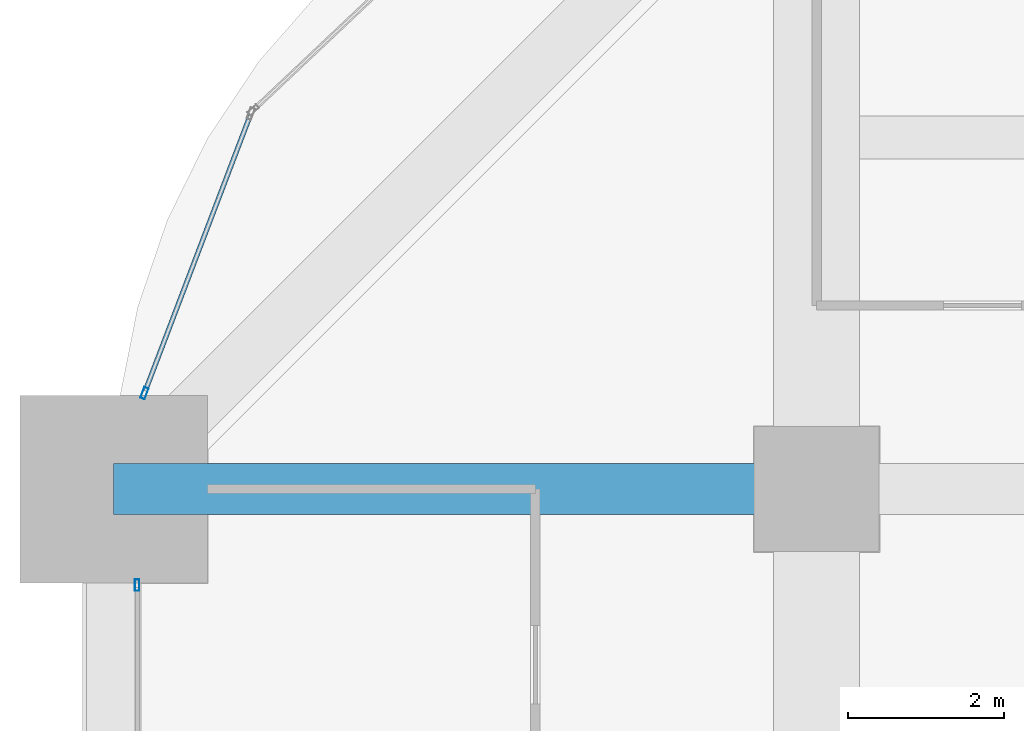
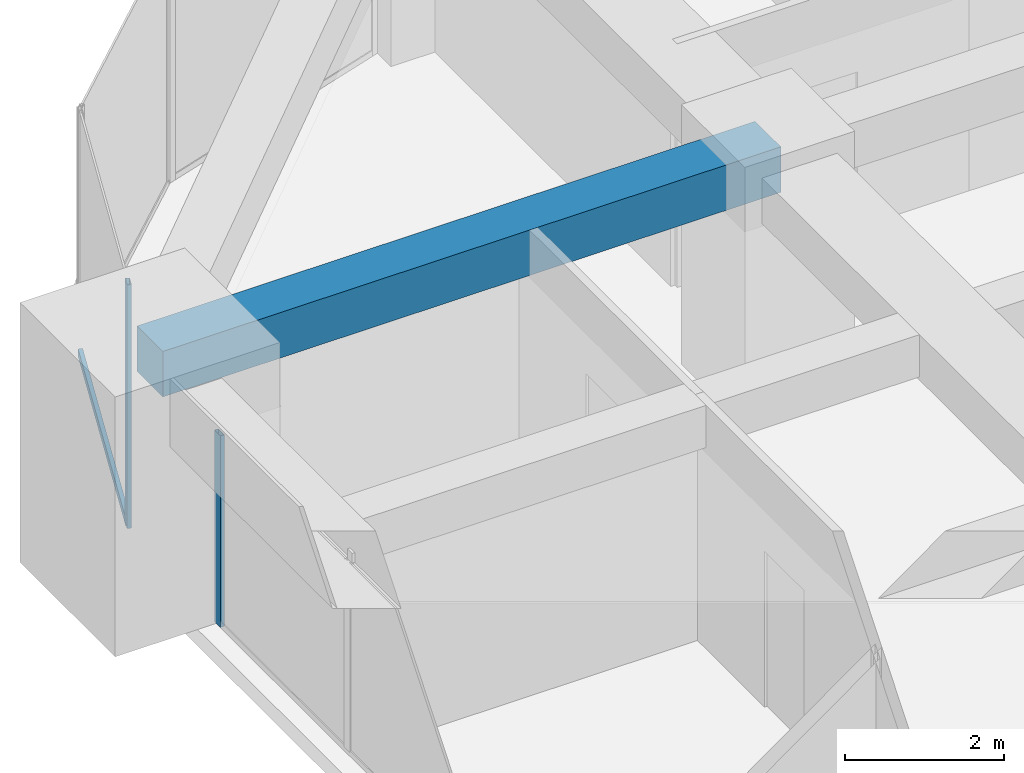
# One storey, part 20 of 34: 3 members, 1 beam, 2 elements without a shape of their own.
"""IFC4 building model written with IfcOpenShell, lengths in metres."""

import ifcopenshell
import ifcopenshell.guid

model = None  # the IFC model being written
_history = None  # IfcOwnerHistory: only IFC2X3 demands one
_inside = {}  # id of a spatial element -> (the spatial element, [elements in it])
_under = {}  # id of a project, library or spatial element -> (it, [spatial elements below it])
_declared = {}  # id of a project -> (the project, [libraries it declares])
_typed = {}  # id of a type object -> (the type object, [elements of that type])
_made_of = {}  # id of a material, layer set ... -> (it, [elements and type objects made of it])


def new_model(schema):
    """Start an empty IFC model of exactly this schema.

    Asked for "IFC4X3", IfcOpenShell would pick the latest addendum, in which some entities
    have other attributes; the version numbers below select the first issue.
    IFC2X3 requires an IfcOwnerHistory on every rooted entity: one is made here for all.
    """
    global model, _history
    if schema == "IFC4X3":
        model = ifcopenshell.file(schema_version=(4, 3, 0, 0))
    else:
        model = ifcopenshell.file(schema=schema)
    _inside.clear()
    _under.clear()
    _declared.clear()
    _typed.clear()
    _made_of.clear()
    _history = None
    if model.schema == "IFC2X3":
        org = make("IfcOrganization", Name="unknown")
        user = make(
            "IfcPersonAndOrganization",
            ThePerson=make("IfcPerson", FamilyName="unknown"),
            TheOrganization=org,
        )
        app = make(
            "IfcApplication",
            ApplicationDeveloper=org,
            Version="unknown",
            ApplicationFullName="unknown",
            ApplicationIdentifier="unknown",
        )
        _history = make(
            "IfcOwnerHistory",
            OwningUser=user,
            OwningApplication=app,
            ChangeAction="ADDED",
            CreationDate=0,
        )
    return model


def make(cls, **values):
    """One entity of the class cls with the attributes given. An attribute that is None is left unset."""
    return model.create_entity(
        cls, **{name: value for name, value in values.items() if value is not None}
    )


def rooted(cls, **values):
    """An entity with a GlobalId (a new one), such as an element, a storey or a relation."""
    return make(cls, GlobalId=ifcopenshell.guid.new(), OwnerHistory=_history, **values)


def si_unit(unit_type, name, prefix=None):
    """IfcSIUnit, for example si_unit("LENGTHUNIT", "METRE", prefix="MILLI")."""
    return make("IfcSIUnit", UnitType=unit_type, Prefix=prefix, Name=name)


def assignment(units):
    """IfcUnitAssignment: the units of a project."""
    return None if units is None else make("IfcUnitAssignment", Units=units)


def point(xyz):
    """IfcCartesianPoint."""
    return None if xyz is None else make("IfcCartesianPoint", Coordinates=xyz)


def direction(xyz):
    """IfcDirection."""
    return None if xyz is None else make("IfcDirection", DirectionRatios=xyz)


def frame(location, z_axis=None, x_axis=None):
    """IfcAxis2Placement3D, a coordinate frame: its origin and axes. An axis left out is left unset."""
    return make(
        "IfcAxis2Placement3D",
        Location=point(location),
        Axis=direction(z_axis),
        RefDirection=direction(x_axis),
    )


def frame_2d(location, x_axis=None):
    """IfcAxis2Placement2D, a coordinate frame in the plane: its origin and x axis."""
    return make(
        "IfcAxis2Placement2D", Location=point(location), RefDirection=direction(x_axis)
    )


def origin():
    """The frame at (0, 0, 0) with its axes left unset."""
    return frame((0.0, 0.0, 0.0))


def origin_2d():
    """The frame at (0, 0) in the plane with its x axis left unset."""
    return frame_2d((0.0, 0.0))


def place(relative_to, where):
    """IfcLocalPlacement: puts the frame where relative to a parent placement (None: the world)."""
    return make(
        "IfcLocalPlacement", PlacementRelTo=relative_to, RelativePlacement=where
    )


def context(
    kind, dimensions, precision=None, world=None, true_north=None, identifier=None
):
    """IfcGeometricRepresentationContext, for example the 3D "Model" context."""
    return make(
        "IfcGeometricRepresentationContext",
        ContextIdentifier=identifier,
        ContextType=kind,
        CoordinateSpaceDimension=dimensions,
        Precision=precision,
        WorldCoordinateSystem=world,
        TrueNorth=true_north,
    )


def subcontext(parent, identifier, kind, view, scale=None):
    """IfcGeometricRepresentationSubContext, for example "Body" below "Model"."""
    return make(
        "IfcGeometricRepresentationSubContext",
        ContextIdentifier=identifier,
        ContextType=kind,
        ParentContext=parent,
        TargetScale=scale,
        TargetView=view,
    )


def project(units=None, contexts=None):
    """IfcProject with its units and contexts."""
    return rooted(
        "IfcProject",
        Name="project",
        RepresentationContexts=contexts,
        UnitsInContext=assignment(units),
    )


def spatial(cls, under=None, at=None, **own):
    """A site, building, storey or space (cls), placed at a placement, below another one or the project."""
    s = rooted(cls, ObjectPlacement=at, **own)
    if under is not None:
        _under.setdefault(under.id(), (under, []))[1].append(s)
    return s


def profile(cls, at=None, kind="AREA", **sizes):
    """A parametric profile (cls). Its sizes go by their IFC names, for example OverallWidth=200.0."""
    return make(cls, ProfileType=kind, Position=at, **sizes)


def rectangle(**sizes):
    """IfcRectangleProfileDef."""
    return profile("IfcRectangleProfileDef", **sizes)


def hollow_rectangle(**sizes):
    """IfcRectangleHollowProfileDef."""
    return profile("IfcRectangleHollowProfileDef", **sizes)


def extrude(swept, where, along, depth):
    """IfcExtrudedAreaSolid: the profile swept, set in the frame where, extruded along a direction by depth."""
    return make(
        "IfcExtrudedAreaSolid",
        SweptArea=swept,
        Position=where,
        ExtrudedDirection=direction(along),
        Depth=depth,
    )


def shape(context_of_items, identifier, shape_type, items):
    """IfcShapeRepresentation: the items that make up one representation, for example the "Body"."""
    return make(
        "IfcShapeRepresentation",
        ContextOfItems=context_of_items,
        RepresentationIdentifier=identifier,
        RepresentationType=shape_type,
        Items=items,
    )


def material(Name=None, Category=None):
    """IfcMaterial."""
    return make("IfcMaterial", Name=Name, Category=Category)


def material_profile(
    of_material, cross_section, Name=None, Category=None, Priority=None
):
    """IfcMaterialProfile: a cross section and its material."""
    return make(
        "IfcMaterialProfile",
        Name=Name,
        Material=of_material,
        Profile=cross_section,
        Priority=Priority,
        Category=Category,
    )


def profile_set(profiles, Name=None, composite=None):
    """IfcMaterialProfileSet."""
    return make(
        "IfcMaterialProfileSet",
        Name=Name,
        MaterialProfiles=profiles,
        CompositeProfile=composite,
    )


def made_of(thing, what):
    """Note that an element or type object is made of a material, layer set ...; save() writes the relation."""
    if what is not None:
        _made_of.setdefault(what.id(), (what, []))[1].append(thing)
    return thing


def type_object(cls, material=None, **own):
    """A type object (cls), such as IfcWallType, which elements share."""
    return made_of(rooted(cls, **own), material)


def element(
    cls,
    number,
    at=None,
    inside=None,
    cuts=None,
    type_object=None,
    material=None,
    context=None,
    identifier="Body",
    shape_type=None,
    held_by="IfcProductDefinitionShape",
    body=None,
    shapes=None,
    **own,
):
    """One element of the class cls, such as IfcWall. Its Tag is "e" and its number.

    at: its placement. inside: the storey or other place that contains it. cuts: it is an
    opening in that element (IfcRelVoidsElement). A single representation is given by context,
    identifier, shape_type and body (its items); several are given by shapes. held_by: the class
    of the entity that holds the representations. save() writes the other relations.
    """
    e = rooted(cls, Tag="e%d" % number, ObjectPlacement=at, **own)
    if body is not None:
        shapes = [shape(context, identifier, shape_type, body)]
    if shapes is not None:
        e.Representation = make(held_by, Representations=shapes)
    if inside is not None:
        _inside.setdefault(inside.id(), (inside, []))[1].append(e)
    if cuts is not None:
        rooted(
            "IfcRelVoidsElement", RelatingBuildingElement=cuts, RelatedOpeningElement=e
        )
    if type_object is not None:
        _typed.setdefault(type_object.id(), (type_object, []))[1].append(e)
    return made_of(e, material)


def aggregate(whole, parts):
    """IfcRelAggregates: a whole, such as a stair, and the parts it consists of."""
    return rooted("IfcRelAggregates", RelatingObject=whole, RelatedObjects=parts)


def save(model, path):
    """Write the relations noted so far, then the file.

    IfcRelAggregates (storeys below a building ...), IfcRelContainedInSpatialStructure (elements
    in a storey), IfcRelDefinesByType, IfcRelAssociatesMaterial and IfcRelDeclares: one each for
    every whole, place, type object, material and project.
    """
    for whole, parts in _under.values():
        aggregate(whole, parts)
    for where, things in _inside.values():
        rooted(
            "IfcRelContainedInSpatialStructure",
            RelatedElements=things,
            RelatingStructure=where,
        )
    for kind, things in _typed.values():
        rooted("IfcRelDefinesByType", RelatedObjects=things, RelatingType=kind)
    for what, things in _made_of.values():
        rooted("IfcRelAssociatesMaterial", RelatedObjects=things, RelatingMaterial=what)
    for by, libraries in _declared.values():
        rooted("IfcRelDeclares", RelatingContext=by, RelatedDefinitions=libraries)
    model.write(path)


model = new_model("IFC4")

# Units and contexts
model_context = context("Model", 3, precision=1e-05, world=origin(), true_north=direction((0.0, 1.0)))
body_context = subcontext(model_context, "Body", "Model", "MODEL_VIEW")
ifc_project = project(units=[si_unit("LENGTHUNIT", "METRE"), si_unit("AREAUNIT", "SQUARE_METRE"), si_unit("VOLUMEUNIT", "CUBIC_METRE"), si_unit("PLANEANGLEUNIT", "RADIAN"), si_unit("MASSUNIT", "GRAM", prefix="KILO")], contexts=[model_context])

# Site, building, storey
site_placement = place(None, origin())
site = spatial("IfcSite", under=ifc_project, at=site_placement, CompositionType="ELEMENT")
building_placement = place(site_placement, origin())
building = spatial("IfcBuilding", under=site, at=building_placement, Name="Zorevar Civic Tower", CompositionType="ELEMENT")
storey_placement = place(building_placement, frame((0.0, 0.0, 170.199951171875)))
storey = spatial("IfcBuildingStorey", under=building, at=storey_placement, Name="L41", CompositionType="ELEMENT", Elevation=170.199951171875)

# Beam
ifc_material_1 = material(Name="Concrete C50/60", Category="concrete")
ifc_material_profile_1 = material_profile(ifc_material_1, rectangle(XDim=0.64990234375, YDim=0.699951171875, at=origin_2d()), Name="RC 650x700")
ifc_profile_set_1 = profile_set([ifc_material_profile_1], Name="Concrete C50/60")
beam_type = type_object("IfcBeamType", Name="Beam RC 650x700", PredefinedType="BEAM", material=ifc_profile_set_1)
beam_placement = place(storey_placement, frame((0.0, 36.0, 3.400146484375), z_axis=(1.0, 0.0, 0.0), x_axis=(0.0, 1.0, 0.0)))
element("IfcBeam", 1, at=beam_placement, inside=storey, type_object=beam_type, Name="Girder L42", PredefinedType="BEAM", context=body_context, shape_type="SweptSolid", body=[
    extrude(rectangle(XDim=0.64990234375, YDim=0.699951171875, at=origin_2d()), origin(), (0.0, 0.0, 1.0), 9.0),
])

# Curtain wall, member
ifc_material_2 = material(Name="Dark grey solar-control glass in black aluminium frame", Category="aluminium")
curtain_wall_type = type_object("IfcCurtainWallType", Name="Curtain wall CW4 high zone", PredefinedType="NOTDEFINED", material=ifc_material_2)
curtain_wall_1_placement = place(storey_placement, origin())
curtain_wall_1 = element("IfcCurtainWall", 2, at=curtain_wall_1_placement, inside=storey, type_object=curtain_wall_type, Name="CW4 L41", PredefinedType="NOTDEFINED")
ifc_material_3 = material(Name="Aluminium, black anodised", Category="aluminium")
ifc_material_profile_2 = material_profile(ifc_material_3, hollow_rectangle(XDim=0.06005859375, YDim=0.14990234375, WallThickness=0.00390625, at=origin_2d()), Name="AL 150x60x4")
ifc_profile_set_2 = profile_set([ifc_material_profile_2], Name="Aluminium, black anodised")
member_type_1 = type_object("IfcMemberType", Name="CW4 mullion AL 150x60x4", PredefinedType="MULLION", material=ifc_profile_set_2)
member_1_placement = place(storey_placement, frame((0.300048828125, 34.77001953125, 0.0), z_axis=(0.0, 0.0, 1.0), x_axis=(-1.0, 0.0, 0.0)))
member_1 = element("IfcMember", 3, at=member_1_placement, type_object=member_type_1, Name="CW4 mullion 3", PredefinedType="MULLION", context=body_context, shape_type="SweptSolid", body=[
    extrude(hollow_rectangle(XDim=0.06005859375, YDim=0.14990234375, WallThickness=0.00390625, at=origin_2d()), origin(), (0.0, 0.0, 1.0), 2.949951171875),
])
aggregate(curtain_wall_1, [member_1])

# Curtain wall, members
curtain_wall_2_placement = place(storey_placement, origin())
curtain_wall_2 = element("IfcCurtainWall", 4, at=curtain_wall_2_placement, inside=storey, type_object=curtain_wall_type, Name="CW4 L41", PredefinedType="NOTDEFINED")
member_2_placement = place(storey_placement, frame((0.393798828125, 37.22802734375, 0.0), z_axis=(0.0, 0.0, 1.0), x_axis=(0.93458842801, -0.355730895803, 0.0)))
member_2 = element("IfcMember", 5, at=member_2_placement, type_object=member_type_1, Name="CW4 mullion 2", PredefinedType="MULLION", context=body_context, shape_type="SweptSolid", body=[
    extrude(hollow_rectangle(XDim=0.06005859375, YDim=0.14990234375, WallThickness=0.00390625, at=origin_2d()), origin(), (0.0, 0.0, 1.0), 3.75),
])
ifc_material_4 = material(Name="Aluminium, black anodised", Category="aluminium")
ifc_material_profile_3 = material_profile(ifc_material_4, hollow_rectangle(XDim=0.06005859375, YDim=0.1201171875, WallThickness=0.0029296875, at=origin_2d()), Name="AL 120x60x3")
ifc_profile_set_3 = profile_set([ifc_material_profile_3], Name="Aluminium, black anodised")
member_type_2 = type_object("IfcMemberType", Name="CW4 transom AL 120x60x3", PredefinedType="USERDEFINED", material=ifc_profile_set_3)
member_3_placement = place(storey_placement, frame((1.74462890625, 40.77685546875, 0.030029296875), z_axis=(-0.355728511406, -0.934589335576, 0.0), x_axis=(0.934589335576, -0.355728511406, 0.0)))
member_3 = element("IfcMember", 6, at=member_3_placement, type_object=member_type_2, Name="CW4 sill transom", ObjectType="TRANSOM", PredefinedType="USERDEFINED", context=body_context, shape_type="SweptSolid", body=[
    extrude(hollow_rectangle(XDim=0.06005859375, YDim=0.1201171875, WallThickness=0.0029296875, at=origin_2d()), origin(), (0.0, 0.0, 1.0), 3.76708984375),
])
aggregate(curtain_wall_2, [member_2, member_3])

save(model, "model.ifc")
